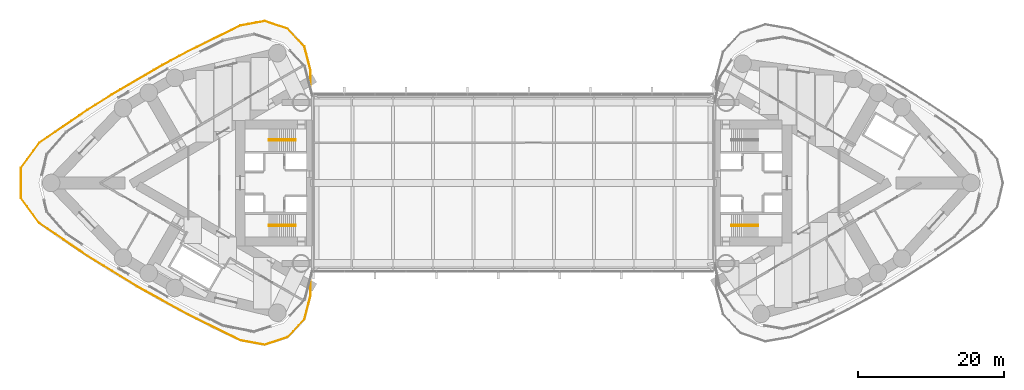
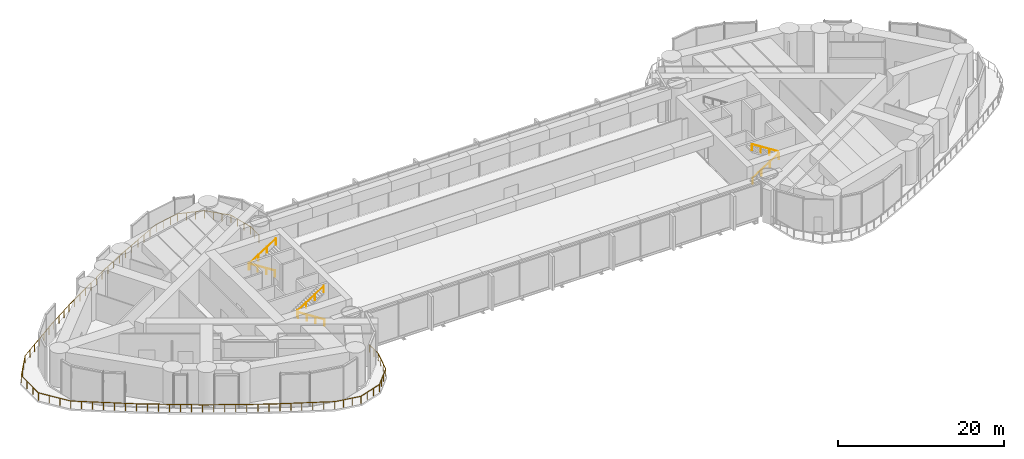
# One storey, part 21 of 22: 7 railings.
"""IFC4 building model written with IfcOpenShell, lengths in metres."""

from ifc_helpers import new_model, si_unit, direction, frame, origin, origin_2d, place, context, subcontext, project, spatial, circle, extrude, material, type_object, element, save


model = new_model("IFC4")

# Units and contexts
model_context = context("Model", 3, precision=1e-05, world=origin(), true_north=direction((0.0, 1.0)))
body_context = subcontext(model_context, "Body", "Model", "MODEL_VIEW")
ifc_project = project(units=[si_unit("LENGTHUNIT", "METRE"), si_unit("AREAUNIT", "SQUARE_METRE"), si_unit("VOLUMEUNIT", "CUBIC_METRE"), si_unit("PLANEANGLEUNIT", "RADIAN"), si_unit("MASSUNIT", "GRAM", prefix="KILO")], contexts=[model_context])

# Site, building, storey
site_placement = place(None, origin())
site = spatial("IfcSite", under=ifc_project, at=site_placement, CompositionType="ELEMENT")
building_placement = place(site_placement, origin())
building = spatial("IfcBuilding", under=site, at=building_placement, Name="Lancet Gate Hotel", CompositionType="ELEMENT")
storey_placement = place(building_placement, frame((0.0, 0.0, 210.300048828125)))
storey = spatial("IfcBuildingStorey", under=building, at=storey_placement, Name="L56", CompositionType="ELEMENT", Elevation=210.300048828125)

# Railings
ifc_material_1 = material(Name="Galvanised steel guard rail", Category="steel")
railing_type_1 = type_object("IfcRailingType", Name="Roof guard rail 1100", PredefinedType="GUARDRAIL", material=ifc_material_1)
railing_1_placement = place(storey_placement, frame((-27.77001953125, 13.308837890625, 0.0)))
element("IfcRailing", 1, at=railing_1_placement, inside=storey, type_object=railing_type_1, Name="T1 L56 maintenance roof guard rail", PredefinedType="GUARDRAIL", context=body_context, shape_type="SweptSolid", body=[
    extrude(circle(Radius=0.02392578125, at=origin_2d()), frame((0.0, 0.0, 1.076171875), z_axis=(0.0, 1.0, 0.0), x_axis=(-1.0, 0.0, 0.0)), (0.0, 0.0, 1.0), 2.08056640625),
    extrude(circle(Radius=0.02392578125, at=origin_2d()), frame((0.0, 2.08056640625, 1.076171875), z_axis=(-0.247921858177, 0.968780032948, 0.0), x_axis=(-0.968780032948, -0.247921858177, 0.0)), (0.0, 0.0, 1.0), 3.367919921875),
    extrude(circle(Radius=0.02392578125, at=origin_2d()), frame((-0.8349609375, 5.34326171875, 1.076171875), z_axis=(-0.682824390096, 0.730582543105, 0.0), x_axis=(-0.730582543105, -0.682824390096, 0.0)), (0.0, 0.0, 1.0), 3.3330078125),
    extrude(circle(Radius=0.02392578125, at=origin_2d()), frame((-3.11083984375, 7.7783203125, 1.076171875), z_axis=(-0.949848802134, 0.312709534689, 0.0), x_axis=(-0.312709534689, -0.949848802134, 0.0)), (0.0, 0.0, 1.0), 3.3330078125),
    extrude(circle(Radius=0.02392578125, at=origin_2d()), frame((-6.276611328125, 8.820556640625, 1.076171875), z_axis=(-0.98329162229, -0.18203731907, 0.0), x_axis=(0.18203731907, -0.98329162229, 0.0)), (0.0, 0.0, 1.0), 3.3662109375),
    extrude(circle(Radius=0.02392578125, at=origin_2d()), frame((-9.586669921875, 8.207763671875, 1.076171875), z_axis=(-0.897300530487, -0.441420160377, 0.0), x_axis=(0.441420160377, -0.897300530487, 0.0)), (0.0, 0.0, 1.0), 7.9521484375),
    extrude(circle(Radius=0.02392578125, at=origin_2d()), frame((-16.72216796875, 4.697509765625, 1.076171875), z_axis=(-0.881204381196, -0.47273548477, 0.0), x_axis=(0.47273548477, -0.881204381196, 0.0)), (0.0, 0.0, 1.0), 3.99267578125),
    extrude(circle(Radius=0.02392578125, at=origin_2d()), frame((-20.240478515625, 2.81005859375, 1.076171875), z_axis=(-0.863974019726, -0.503536387204, 0.0), x_axis=(0.503536387204, -0.863974019726, 0.0)), (0.0, 0.0, 1.0), 7.984619140625),
    extrude(circle(Radius=0.02392578125, at=origin_2d()), frame((-27.138916015625, -1.21044921875, 1.076171875), z_axis=(-0.845647239676, -0.533742209337, 0.0), x_axis=(0.533742209337, -0.845647239676, 0.0)), (0.0, 0.0, 1.0), 3.99267578125),
    extrude(circle(Radius=0.02392578125, at=origin_2d()), frame((-30.515380859375, -3.341552734375, 1.076171875), z_axis=(-0.82635152604, -0.563154646089, 0.0), x_axis=(0.563154646089, -0.82635152604, 0.0)), (0.0, 0.0, 1.0), 7.943115234375),
    extrude(circle(Radius=0.02392578125, at=origin_2d()), frame((-37.0791015625, -7.814697265625, 1.076171875), z_axis=(-0.591295978784, -0.806454627039, 0.0), x_axis=(0.806454627039, -0.591295978784, 0.0)), (0.0, 0.0, 1.0), 4.22216796875),
    extrude(circle(Radius=0.02392578125, at=origin_2d()), frame((-39.57568359375, -11.2197265625, 1.076171875), z_axis=(0.0, -1.0, 0.0), x_axis=(1.0, 0.0, 0.0)), (0.0, 0.0, 1.0), 4.17822265625),
    extrude(circle(Radius=0.02392578125, at=origin_2d()), frame((-39.57568359375, -15.39794921875, 1.076171875), z_axis=(0.591295978784, -0.806454627039, 0.0), x_axis=(0.806454627039, 0.591295978784, 0.0)), (0.0, 0.0, 1.0), 4.22216796875),
    extrude(circle(Radius=0.02392578125, at=origin_2d()), frame((-37.0791015625, -18.802978515625, 1.076171875), z_axis=(0.82635152604, -0.563154646089, 0.0), x_axis=(0.563154646089, 0.82635152604, 0.0)), (0.0, 0.0, 1.0), 7.943115234375),
    extrude(circle(Radius=0.02392578125, at=origin_2d()), frame((-30.515380859375, -23.276123046875, 1.076171875), z_axis=(0.851879753074, -0.523737421141, 0.0), x_axis=(0.523737421141, 0.851879753074, 0.0)), (0.0, 0.0, 1.0), 7.984619140625),
    extrude(circle(Radius=0.02392578125, at=origin_2d()), frame((-23.71337890625, -27.4580078125, 1.076171875), z_axis=(0.875579913822, -0.483073301385, 0.0), x_axis=(0.483073301385, 0.875579913822, 0.0)), (0.0, 0.0, 1.0), 7.984619140625),
    extrude(circle(Radius=0.02392578125, at=origin_2d()), frame((-16.72216796875, -31.315185546875, 1.076171875), z_axis=(0.897300530487, -0.441420160377, 0.0), x_axis=(0.441420160377, 0.897300530487, 0.0)), (0.0, 0.0, 1.0), 7.9521484375),
    extrude(circle(Radius=0.02392578125, at=origin_2d()), frame((-9.586669921875, -34.825439453125, 1.076171875), z_axis=(0.98329162229, -0.18203731907, 0.0), x_axis=(0.18203731907, 0.98329162229, 0.0)), (0.0, 0.0, 1.0), 3.3662109375),
    extrude(circle(Radius=0.02392578125, at=origin_2d()), frame((-6.276611328125, -35.438232421875, 1.076171875), z_axis=(0.949848802134, 0.312709534689, 0.0), x_axis=(-0.312709534689, 0.949848802134, 0.0)), (0.0, 0.0, 1.0), 3.3330078125),
    extrude(circle(Radius=0.02392578125, at=origin_2d()), frame((-3.11083984375, -34.39599609375, 1.076171875), z_axis=(0.682824390096, 0.730582543105, 0.0), x_axis=(-0.730582543105, 0.682824390096, 0.0)), (0.0, 0.0, 1.0), 3.3330078125),
    extrude(circle(Radius=0.02392578125, at=origin_2d()), frame((-0.8349609375, -31.9609375, 1.076171875), z_axis=(0.247921858177, 0.968780032948, 0.0), x_axis=(-0.968780032948, 0.247921858177, 0.0)), (0.0, 0.0, 1.0), 3.367919921875),
    extrude(circle(Radius=0.02392578125, at=origin_2d()), frame((0.0, -28.6982421875, 1.076171875), z_axis=(0.0, 1.0, 0.0), x_axis=(-1.0, 0.0, 0.0)), (0.0, 0.0, 1.0), 2.08056640625),
    extrude(circle(Radius=0.02099609375, at=origin_2d()), origin(), (0.0, 0.0, 1.0), 1.052001953125),
    extrude(circle(Radius=0.02099609375, at=origin_2d()), frame((0.0, 1.040283203125, 0.0)), (0.0, 0.0, 1.0), 1.052001953125),
    extrude(circle(Radius=0.02099609375, at=origin_2d()), frame((0.0, 2.08056640625, 0.0)), (0.0, 0.0, 1.0), 1.052001953125),
    extrude(circle(Radius=0.02099609375, at=origin_2d()), frame((-0.2783203125, 3.168212890625, 0.0)), (0.0, 0.0, 1.0), 1.052001953125),
    extrude(circle(Radius=0.02099609375, at=origin_2d()), frame((-0.556640625, 4.255615234375, 0.0)), (0.0, 0.0, 1.0), 1.052001953125),
    extrude(circle(Radius=0.02099609375, at=origin_2d()), frame((-0.8349609375, 5.34326171875, 0.0)), (0.0, 0.0, 1.0), 1.052001953125),
    extrude(circle(Radius=0.02099609375, at=origin_2d()), frame((-1.593505859375, 6.155029296875, 0.0)), (0.0, 0.0, 1.0), 1.052001953125),
    extrude(circle(Radius=0.02099609375, at=origin_2d()), frame((-2.352294921875, 6.966552734375, 0.0)), (0.0, 0.0, 1.0), 1.052001953125),
    extrude(circle(Radius=0.02099609375, at=origin_2d()), frame((-3.11083984375, 7.7783203125, 0.0)), (0.0, 0.0, 1.0), 1.052001953125),
    extrude(circle(Radius=0.02099609375, at=origin_2d()), frame((-4.166015625, 8.125732421875, 0.0)), (0.0, 0.0, 1.0), 1.052001953125),
    extrude(circle(Radius=0.02099609375, at=origin_2d()), frame((-5.221435546875, 8.47314453125, 0.0)), (0.0, 0.0, 1.0), 1.052001953125),
    extrude(circle(Radius=0.02099609375, at=origin_2d()), frame((-6.276611328125, 8.820556640625, 0.0)), (0.0, 0.0, 1.0), 1.052001953125),
    extrude(circle(Radius=0.02099609375, at=origin_2d()), frame((-7.3798828125, 8.6162109375, 0.0)), (0.0, 0.0, 1.0), 1.052001953125),
    extrude(circle(Radius=0.02099609375, at=origin_2d()), frame((-8.4833984375, 8.412109375, 0.0)), (0.0, 0.0, 1.0), 1.052001953125),
    extrude(circle(Radius=0.02099609375, at=origin_2d()), frame((-9.586669921875, 8.207763671875, 0.0)), (0.0, 0.0, 1.0), 1.052001953125),
    extrude(circle(Radius=0.02099609375, at=origin_2d()), frame((-10.77587890625, 7.622802734375, 0.0)), (0.0, 0.0, 1.0), 1.052001953125),
    extrude(circle(Radius=0.02099609375, at=origin_2d()), frame((-11.965087890625, 7.03759765625, 0.0)), (0.0, 0.0, 1.0), 1.052001953125),
    extrude(circle(Radius=0.02099609375, at=origin_2d()), frame((-13.154296875, 6.45263671875, 0.0)), (0.0, 0.0, 1.0), 1.052001953125),
    extrude(circle(Radius=0.02099609375, at=origin_2d()), frame((-14.34375, 5.86767578125, 0.0)), (0.0, 0.0, 1.0), 1.052001953125),
    extrude(circle(Radius=0.02099609375, at=origin_2d()), frame((-15.532958984375, 5.282470703125, 0.0)), (0.0, 0.0, 1.0), 1.052001953125),
    extrude(circle(Radius=0.02099609375, at=origin_2d()), frame((-16.72216796875, 4.697509765625, 0.0)), (0.0, 0.0, 1.0), 1.052001953125),
    extrude(circle(Radius=0.02099609375, at=origin_2d()), frame((-17.89501953125, 4.068359375, 0.0)), (0.0, 0.0, 1.0), 1.052001953125),
    extrude(circle(Radius=0.02099609375, at=origin_2d()), frame((-19.067626953125, 3.439208984375, 0.0)), (0.0, 0.0, 1.0), 1.052001953125),
    extrude(circle(Radius=0.02099609375, at=origin_2d()), frame((-20.240478515625, 2.81005859375, 0.0)), (0.0, 0.0, 1.0), 1.052001953125),
    extrude(circle(Radius=0.02099609375, at=origin_2d()), frame((-21.39013671875, 2.139892578125, 0.0)), (0.0, 0.0, 1.0), 1.052001953125),
    extrude(circle(Radius=0.02099609375, at=origin_2d()), frame((-22.5400390625, 1.469970703125, 0.0)), (0.0, 0.0, 1.0), 1.052001953125),
    extrude(circle(Radius=0.02099609375, at=origin_2d()), frame((-23.689697265625, 0.7998046875, 0.0)), (0.0, 0.0, 1.0), 1.052001953125),
    extrude(circle(Radius=0.02099609375, at=origin_2d()), frame((-24.83935546875, 0.129638671875, 0.0)), (0.0, 0.0, 1.0), 1.052001953125),
    extrude(circle(Radius=0.02099609375, at=origin_2d()), frame((-25.9892578125, -0.540283203125, 0.0)), (0.0, 0.0, 1.0), 1.052001953125),
    extrude(circle(Radius=0.02099609375, at=origin_2d()), frame((-27.138916015625, -1.21044921875, 0.0)), (0.0, 0.0, 1.0), 1.052001953125),
    extrude(circle(Radius=0.02099609375, at=origin_2d()), frame((-28.264404296875, -1.9208984375, 0.0)), (0.0, 0.0, 1.0), 1.052001953125),
    extrude(circle(Radius=0.02099609375, at=origin_2d()), frame((-29.389892578125, -2.631103515625, 0.0)), (0.0, 0.0, 1.0), 1.052001953125),
    extrude(circle(Radius=0.02099609375, at=origin_2d()), frame((-30.515380859375, -3.341552734375, 0.0)), (0.0, 0.0, 1.0), 1.052001953125),
    extrude(circle(Radius=0.02099609375, at=origin_2d()), frame((-31.609375, -4.087158203125, 0.0)), (0.0, 0.0, 1.0), 1.052001953125),
    extrude(circle(Radius=0.02099609375, at=origin_2d()), frame((-32.703369140625, -4.83251953125, 0.0)), (0.0, 0.0, 1.0), 1.052001953125),
    extrude(circle(Radius=0.02099609375, at=origin_2d()), frame((-33.79736328125, -5.578125, 0.0)), (0.0, 0.0, 1.0), 1.052001953125),
    extrude(circle(Radius=0.02099609375, at=origin_2d()), frame((-34.89111328125, -6.32373046875, 0.0)), (0.0, 0.0, 1.0), 1.052001953125),
    extrude(circle(Radius=0.02099609375, at=origin_2d()), frame((-35.985107421875, -7.069091796875, 0.0)), (0.0, 0.0, 1.0), 1.052001953125),
    extrude(circle(Radius=0.02099609375, at=origin_2d()), frame((-37.0791015625, -7.814697265625, 0.0)), (0.0, 0.0, 1.0), 1.052001953125),
    extrude(circle(Radius=0.02099609375, at=origin_2d()), frame((-37.911376953125, -8.94970703125, 0.0)), (0.0, 0.0, 1.0), 1.052001953125),
    extrude(circle(Radius=0.02099609375, at=origin_2d()), frame((-38.743408203125, -10.084716796875, 0.0)), (0.0, 0.0, 1.0), 1.052001953125),
    extrude(circle(Radius=0.02099609375, at=origin_2d()), frame((-39.57568359375, -11.2197265625, 0.0)), (0.0, 0.0, 1.0), 1.052001953125),
    extrude(circle(Radius=0.02099609375, at=origin_2d()), frame((-39.57568359375, -12.612548828125, 0.0)), (0.0, 0.0, 1.0), 1.052001953125),
    extrude(circle(Radius=0.02099609375, at=origin_2d()), frame((-39.57568359375, -14.005126953125, 0.0)), (0.0, 0.0, 1.0), 1.052001953125),
    extrude(circle(Radius=0.02099609375, at=origin_2d()), frame((-39.57568359375, -15.39794921875, 0.0)), (0.0, 0.0, 1.0), 1.052001953125),
    extrude(circle(Radius=0.02099609375, at=origin_2d()), frame((-38.743408203125, -16.532958984375, 0.0)), (0.0, 0.0, 1.0), 1.052001953125),
    extrude(circle(Radius=0.02099609375, at=origin_2d()), frame((-37.911376953125, -17.66796875, 0.0)), (0.0, 0.0, 1.0), 1.052001953125),
    extrude(circle(Radius=0.02099609375, at=origin_2d()), frame((-37.0791015625, -18.802978515625, 0.0)), (0.0, 0.0, 1.0), 1.052001953125),
    extrude(circle(Radius=0.02099609375, at=origin_2d()), frame((-35.985107421875, -19.548583984375, 0.0)), (0.0, 0.0, 1.0), 1.052001953125),
    extrude(circle(Radius=0.02099609375, at=origin_2d()), frame((-34.89111328125, -20.2939453125, 0.0)), (0.0, 0.0, 1.0), 1.052001953125),
    extrude(circle(Radius=0.02099609375, at=origin_2d()), frame((-33.79736328125, -21.03955078125, 0.0)), (0.0, 0.0, 1.0), 1.052001953125),
    extrude(circle(Radius=0.02099609375, at=origin_2d()), frame((-32.703369140625, -21.78515625, 0.0)), (0.0, 0.0, 1.0), 1.052001953125),
    extrude(circle(Radius=0.02099609375, at=origin_2d()), frame((-31.609375, -22.530517578125, 0.0)), (0.0, 0.0, 1.0), 1.052001953125),
    extrude(circle(Radius=0.02099609375, at=origin_2d()), frame((-30.515380859375, -23.276123046875, 0.0)), (0.0, 0.0, 1.0), 1.052001953125),
    extrude(circle(Radius=0.02099609375, at=origin_2d()), frame((-29.3818359375, -23.97314453125, 0.0)), (0.0, 0.0, 1.0), 1.052001953125),
    extrude(circle(Radius=0.02099609375, at=origin_2d()), frame((-28.248046875, -24.670166015625, 0.0)), (0.0, 0.0, 1.0), 1.052001953125),
    extrude(circle(Radius=0.02099609375, at=origin_2d()), frame((-27.1142578125, -25.3671875, 0.0)), (0.0, 0.0, 1.0), 1.052001953125),
    extrude(circle(Radius=0.02099609375, at=origin_2d()), frame((-25.980712890625, -26.06396484375, 0.0)), (0.0, 0.0, 1.0), 1.052001953125),
    extrude(circle(Radius=0.02099609375, at=origin_2d()), frame((-24.84716796875, -26.760986328125, 0.0)), (0.0, 0.0, 1.0), 1.052001953125),
    extrude(circle(Radius=0.02099609375, at=origin_2d()), frame((-23.71337890625, -27.4580078125, 0.0)), (0.0, 0.0, 1.0), 1.052001953125),
    extrude(circle(Radius=0.02099609375, at=origin_2d()), frame((-22.548095703125, -28.100830078125, 0.0)), (0.0, 0.0, 1.0), 1.052001953125),
    extrude(circle(Radius=0.02099609375, at=origin_2d()), frame((-21.383056640625, -28.74365234375, 0.0)), (0.0, 0.0, 1.0), 1.052001953125),
    extrude(circle(Radius=0.02099609375, at=origin_2d()), frame((-20.2177734375, -29.38671875, 0.0)), (0.0, 0.0, 1.0), 1.052001953125),
    extrude(circle(Radius=0.02099609375, at=origin_2d()), frame((-19.052490234375, -30.029541015625, 0.0)), (0.0, 0.0, 1.0), 1.052001953125),
    extrude(circle(Radius=0.02099609375, at=origin_2d()), frame((-17.887451171875, -30.67236328125, 0.0)), (0.0, 0.0, 1.0), 1.052001953125),
    extrude(circle(Radius=0.02099609375, at=origin_2d()), frame((-16.72216796875, -31.315185546875, 0.0)), (0.0, 0.0, 1.0), 1.052001953125),
    extrude(circle(Radius=0.02099609375, at=origin_2d()), frame((-15.532958984375, -31.900146484375, 0.0)), (0.0, 0.0, 1.0), 1.052001953125),
    extrude(circle(Radius=0.02099609375, at=origin_2d()), frame((-14.34375, -32.4853515625, 0.0)), (0.0, 0.0, 1.0), 1.052001953125),
    extrude(circle(Radius=0.02099609375, at=origin_2d()), frame((-13.154296875, -33.0703125, 0.0)), (0.0, 0.0, 1.0), 1.052001953125),
    extrude(circle(Radius=0.02099609375, at=origin_2d()), frame((-11.965087890625, -33.6552734375, 0.0)), (0.0, 0.0, 1.0), 1.052001953125),
    extrude(circle(Radius=0.02099609375, at=origin_2d()), frame((-10.77587890625, -34.240478515625, 0.0)), (0.0, 0.0, 1.0), 1.052001953125),
    extrude(circle(Radius=0.02099609375, at=origin_2d()), frame((-9.586669921875, -34.825439453125, 0.0)), (0.0, 0.0, 1.0), 1.052001953125),
    extrude(circle(Radius=0.02099609375, at=origin_2d()), frame((-8.4833984375, -35.02978515625, 0.0)), (0.0, 0.0, 1.0), 1.052001953125),
    extrude(circle(Radius=0.02099609375, at=origin_2d()), frame((-7.3798828125, -35.23388671875, 0.0)), (0.0, 0.0, 1.0), 1.052001953125),
    extrude(circle(Radius=0.02099609375, at=origin_2d()), frame((-6.276611328125, -35.438232421875, 0.0)), (0.0, 0.0, 1.0), 1.052001953125),
    extrude(circle(Radius=0.02099609375, at=origin_2d()), frame((-5.221435546875, -35.0908203125, 0.0)), (0.0, 0.0, 1.0), 1.052001953125),
    extrude(circle(Radius=0.02099609375, at=origin_2d()), frame((-4.166015625, -34.743408203125, 0.0)), (0.0, 0.0, 1.0), 1.052001953125),
    extrude(circle(Radius=0.02099609375, at=origin_2d()), frame((-3.11083984375, -34.39599609375, 0.0)), (0.0, 0.0, 1.0), 1.052001953125),
    extrude(circle(Radius=0.02099609375, at=origin_2d()), frame((-2.352294921875, -33.584228515625, 0.0)), (0.0, 0.0, 1.0), 1.052001953125),
    extrude(circle(Radius=0.02099609375, at=origin_2d()), frame((-1.593505859375, -32.772705078125, 0.0)), (0.0, 0.0, 1.0), 1.052001953125),
    extrude(circle(Radius=0.02099609375, at=origin_2d()), frame((-0.8349609375, -31.9609375, 0.0)), (0.0, 0.0, 1.0), 1.052001953125),
    extrude(circle(Radius=0.02099609375, at=origin_2d()), frame((-0.556640625, -30.873291015625, 0.0)), (0.0, 0.0, 1.0), 1.052001953125),
    extrude(circle(Radius=0.02099609375, at=origin_2d()), frame((-0.2783203125, -29.785888671875, 0.0)), (0.0, 0.0, 1.0), 1.052001953125),
    extrude(circle(Radius=0.02099609375, at=origin_2d()), frame((0.0, -28.6982421875, 0.0)), (0.0, 0.0, 1.0), 1.052001953125),
    extrude(circle(Radius=0.02099609375, at=origin_2d()), frame((0.0, -27.657958984375, 0.0)), (0.0, 0.0, 1.0), 1.052001953125),
    extrude(circle(Radius=0.02099609375, at=origin_2d()), frame((0.0, -26.61767578125, 0.0)), (0.0, 0.0, 1.0), 1.052001953125),
])
ifc_material_2 = material(Name="Stainless steel handrail", Category="steel")
railing_type_2 = type_object("IfcRailingType", Name="Stair handrail 900", PredefinedType="HANDRAIL", material=ifc_material_2)
railing_2_placement = place(storey_placement, frame((-29.800048828125, 5.929931640625, 0.178466796875)))
element("IfcRailing", 2, at=railing_2_placement, inside=storey, type_object=railing_type_2, Name="ST1 handrail flight 1 L56", PredefinedType="HANDRAIL", context=body_context, shape_type="SweptSolid", body=[
    extrude(circle(Radius=0.02392578125, at=origin_2d()), frame((0.0, 0.0, 0.8759765625), z_axis=(-0.843111507901, 0.0, 0.53773877045), x_axis=(0.0, -1.0, 0.0)), (0.0, 0.0, 1.0), 4.317138671875),
    extrude(circle(Radius=0.02099609375, at=origin_2d()), origin(), (0.0, 0.0, 1.0), 0.851806640625),
    extrude(circle(Radius=0.02099609375, at=origin_2d()), frame((-1.21337890625, 0.0, 0.77392578125)), (0.0, 0.0, 1.0), 0.851806640625),
    extrude(circle(Radius=0.02099609375, at=origin_2d()), frame((-2.426513671875, 0.0, 1.547607421875)), (0.0, 0.0, 1.0), 0.851806640625),
    extrude(circle(Radius=0.02099609375, at=origin_2d()), frame((-3.639892578125, 0.0, 2.321533203125)), (0.0, 0.0, 1.0), 0.851806640625),
])
railing_3_placement = place(storey_placement, frame((-33.43994140625, 5.77001953125, 2.678466796875)))
element("IfcRailing", 3, at=railing_3_placement, inside=storey, type_object=railing_type_2, Name="ST1 handrail flight 2 L56", PredefinedType="HANDRAIL", context=body_context, shape_type="SweptSolid", body=[
    extrude(circle(Radius=0.02392578125, at=origin_2d()), frame((0.0, 0.0, 0.8759765625), z_axis=(0.843111507901, 0.0, 0.53773877045), x_axis=(0.0, 1.0, 0.0)), (0.0, 0.0, 1.0), 4.317138671875),
    extrude(circle(Radius=0.02099609375, at=origin_2d()), origin(), (0.0, 0.0, 1.0), 0.851806640625),
    extrude(circle(Radius=0.02099609375, at=origin_2d()), frame((1.21337890625, 0.0, 0.77392578125)), (0.0, 0.0, 1.0), 0.851806640625),
    extrude(circle(Radius=0.02099609375, at=origin_2d()), frame((2.426513671875, 0.0, 1.547607421875)), (0.0, 0.0, 1.0), 0.851806640625),
    extrude(circle(Radius=0.02099609375, at=origin_2d()), frame((3.639892578125, 0.0, 2.321533203125)), (0.0, 0.0, 1.0), 0.851806640625),
])
railing_4_placement = place(storey_placement, frame((-29.800048828125, -5.929931640625, 0.178466796875)))
element("IfcRailing", 4, at=railing_4_placement, inside=storey, type_object=railing_type_2, Name="ST2 handrail flight 1 L56", PredefinedType="HANDRAIL", context=body_context, shape_type="SweptSolid", body=[
    extrude(circle(Radius=0.02392578125, at=origin_2d()), frame((0.0, 0.0, 0.8759765625), z_axis=(-0.843111507901, 0.0, 0.53773877045), x_axis=(0.0, -1.0, 0.0)), (0.0, 0.0, 1.0), 4.317138671875),
    extrude(circle(Radius=0.02099609375, at=origin_2d()), origin(), (0.0, 0.0, 1.0), 0.851806640625),
    extrude(circle(Radius=0.02099609375, at=origin_2d()), frame((-1.21337890625, 0.0, 0.77392578125)), (0.0, 0.0, 1.0), 0.851806640625),
    extrude(circle(Radius=0.02099609375, at=origin_2d()), frame((-2.426513671875, 0.0, 1.547607421875)), (0.0, 0.0, 1.0), 0.851806640625),
    extrude(circle(Radius=0.02099609375, at=origin_2d()), frame((-3.639892578125, 0.0, 2.321533203125)), (0.0, 0.0, 1.0), 0.851806640625),
])
for number, where, name in (
    (5, (-33.43994140625, -5.77001953125, 2.678466796875), "ST2 handrail flight 2 L56"),
    (6, (29.800048828125, -5.929931640625, 0.178466796875), "ST3 handrail flight 1 L56"),
):
    element("IfcRailing", number, at=place(storey_placement, frame(where)), inside=storey, type_object=railing_type_2, Name=name, PredefinedType="HANDRAIL", context=body_context, shape_type="SweptSolid", body=[
        extrude(circle(Radius=0.02392578125, at=origin_2d()), frame((0.0, 0.0, 0.8759765625), z_axis=(0.843111507901, 0.0, 0.53773877045), x_axis=(0.0, 1.0, 0.0)), (0.0, 0.0, 1.0), 4.317138671875),
        extrude(circle(Radius=0.02099609375, at=origin_2d()), origin(), (0.0, 0.0, 1.0), 0.851806640625),
        extrude(circle(Radius=0.02099609375, at=origin_2d()), frame((1.21337890625, 0.0, 0.77392578125)), (0.0, 0.0, 1.0), 0.851806640625),
        extrude(circle(Radius=0.02099609375, at=origin_2d()), frame((2.426513671875, 0.0, 1.547607421875)), (0.0, 0.0, 1.0), 0.851806640625),
        extrude(circle(Radius=0.02099609375, at=origin_2d()), frame((3.639892578125, 0.0, 2.321533203125)), (0.0, 0.0, 1.0), 0.851806640625),
    ])
railing_5_placement = place(storey_placement, frame((33.43994140625, -5.77001953125, 2.678466796875)))
element("IfcRailing", 7, at=railing_5_placement, inside=storey, type_object=railing_type_2, Name="ST3 handrail flight 2 L56", PredefinedType="HANDRAIL", context=body_context, shape_type="SweptSolid", body=[
    extrude(circle(Radius=0.02392578125, at=origin_2d()), frame((0.0, 0.0, 0.8759765625), z_axis=(-0.843111507901, 0.0, 0.53773877045), x_axis=(0.0, -1.0, 0.0)), (0.0, 0.0, 1.0), 4.317138671875),
    extrude(circle(Radius=0.02099609375, at=origin_2d()), origin(), (0.0, 0.0, 1.0), 0.851806640625),
    extrude(circle(Radius=0.02099609375, at=origin_2d()), frame((-1.21337890625, 0.0, 0.77392578125)), (0.0, 0.0, 1.0), 0.851806640625),
    extrude(circle(Radius=0.02099609375, at=origin_2d()), frame((-2.426513671875, 0.0, 1.547607421875)), (0.0, 0.0, 1.0), 0.851806640625),
    extrude(circle(Radius=0.02099609375, at=origin_2d()), frame((-3.639892578125, 0.0, 2.321533203125)), (0.0, 0.0, 1.0), 0.851806640625),
])

save(model, "model.ifc")
